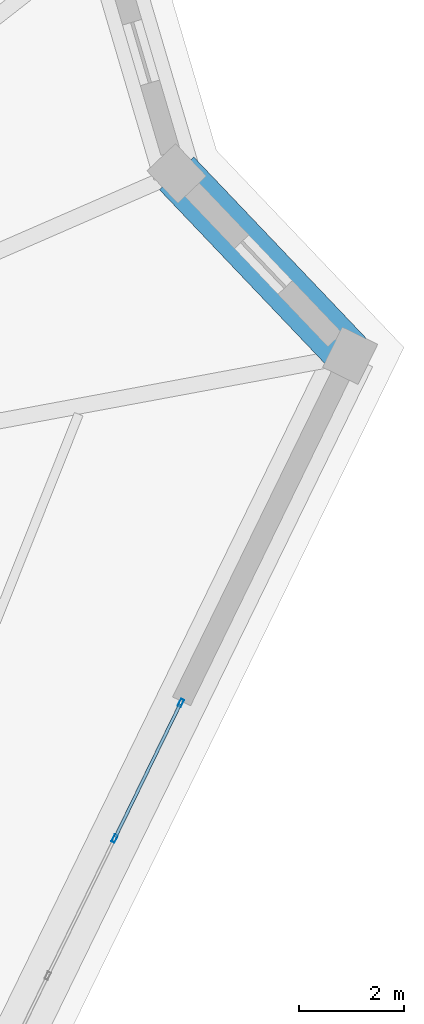
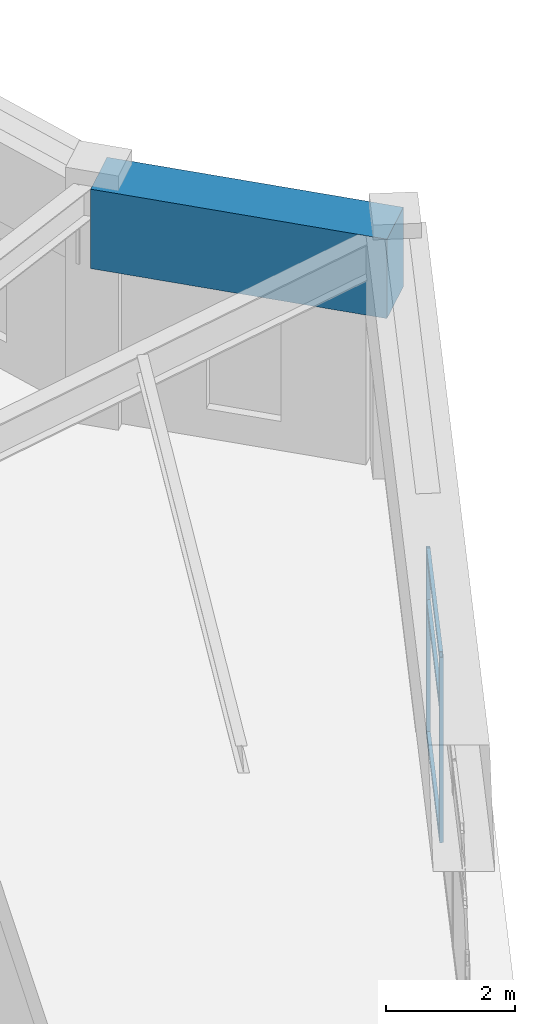
# One storey, part 27 of 40: 5 members, 1 beam, 1 element without a shape of its own.
"""IFC4 building model written with IfcOpenShell, lengths in metres."""

from ifc_helpers import new_model, si_unit, direction, frame, origin, origin_2d, place, context, subcontext, project, spatial, rectangle, hollow_rectangle, extrude, source, transform, mapped, material, layer, layer_set, material_profile, profile_set, type_object, element, aggregate, save


model = new_model("IFC4")

# Units and contexts
model_context = context("Model", 3, precision=1e-05, world=origin(), true_north=direction((0.0, 1.0)))
body_context = subcontext(model_context, "Body", "Model", "MODEL_VIEW")
ifc_project = project(units=[si_unit("LENGTHUNIT", "METRE"), si_unit("AREAUNIT", "SQUARE_METRE"), si_unit("VOLUMEUNIT", "CUBIC_METRE"), si_unit("PLANEANGLEUNIT", "RADIAN"), si_unit("MASSUNIT", "GRAM", prefix="KILO")], contexts=[model_context])

# Site, building, storey
site_placement = place(None, origin())
site = spatial("IfcSite", under=ifc_project, at=site_placement, CompositionType="ELEMENT")
building_placement = place(site_placement, origin())
building = spatial("IfcBuilding", under=site, at=building_placement, Name="Liaohun Quay Tower", CompositionType="ELEMENT")
storey_placement = place(building_placement, frame((0.0, 0.0, 351.0)))
storey = spatial("IfcBuildingStorey", under=building, at=storey_placement, Name="L91", CompositionType="ELEMENT", Elevation=351.0)

# Beam
ifc_material_1 = material(Name="Concrete C55", Category="concrete")
ifc_material_profile_1 = material_profile(ifc_material_1, rectangle(XDim=0.89990234375, YDim=1.5, at=origin_2d()), Name="RC900x1500")
ifc_profile_set_1 = profile_set([ifc_material_profile_1], Name="Concrete C55")
beam_type = type_object("IfcBeamType", Name="BM-CAN-RING", PredefinedType="BEAM", material=ifc_profile_set_1)
shared_shape_1 = source(origin(), body_context, "Body", "SweptSolid", [
    extrude(rectangle(XDim=0.89990234375, YDim=1.5, at=origin_2d()), origin(), (0.0, 0.0, 1.0), 4.780029296875),
])
beam_placement = place(storey_placement, frame((85.2880859375, 68.60009765625, 3.77001953125), z_axis=(0.689292892883, -0.724482786422, 0.0), x_axis=(0.724482786422, 0.689292892883, 0.0)))
element("IfcBeam", 1, at=beam_placement, inside=storey, type_object=beam_type, Name="L91 Precast Spandrel Beam PC08-PC09", PredefinedType="BEAM", context=body_context, shape_type="MappedRepresentation", body=[
    mapped(shared_shape_1, transform((0.0, 0.0, 0.0), x_axis=(1.0, 0.0, 0.0), y_axis=(0.0, 1.0, 0.0), z_axis=(0.0, 0.0, 1.0), scale=1.0)),
])

# Curtain wall, members
ifc_material_2 = material(Name="Observation gallery panoramic triple-glazed curtain wall")
ifc_layer = layer(ifc_material_2, 0.219970703125, Name="Observation gallery panoramic triple-glazed curtain wall")
ifc_layer_set = layer_set([ifc_layer], Name="Observation gallery panoramic triple-glazed curtain wall")
curtain_wall_type = type_object("IfcCurtainWallType", Name="CW-OBS-CRN", PredefinedType="NOTDEFINED", material=ifc_layer_set)
curtain_wall_placement = place(storey_placement, origin())
curtain_wall = element("IfcCurtainWall", 2, at=curtain_wall_placement, inside=storey, type_object=curtain_wall_type, Name="L91 Panoramic Belvedere Curtain Wall 02", PredefinedType="NOTDEFINED")
ifc_material_3 = material(Name="Anodised aluminium 6063-T6", Category="aluminium")
ifc_material_profile_2 = material_profile(ifc_material_3, hollow_rectangle(XDim=0.06494140625, YDim=0.14990234375, WallThickness=0.00390625, at=origin_2d()), Name="RHS150x65x4")
ifc_profile_set_2 = profile_set([ifc_material_profile_2], Name="Anodised aluminium 6063-T6")
member_type_1 = type_object("IfcMemberType", Name="MEM-CWM-SKY", PredefinedType="MULLION", material=ifc_profile_set_2)
shared_shape_2 = source(origin(), body_context, "Body", "SweptSolid", [
    extrude(hollow_rectangle(XDim=0.06494140625, YDim=0.14990234375, WallThickness=0.00390625, at=origin_2d()), origin(), (0.0, 0.0, 1.0), 3.5),
])
member_1_placement = place(storey_placement, frame((84.110107421875, 55.96630859375, 0.0), z_axis=(0.0, 0.0, 1.0), x_axis=(-0.89884796544, 0.438260578908, 0.0)))
member_1 = element("IfcMember", 3, at=member_1_placement, type_object=member_type_1, Name="CW6 mullion 4", PredefinedType="MULLION", context=body_context, shape_type="MappedRepresentation", body=[
    mapped(shared_shape_2, transform((0.0, 0.0, 0.0), x_axis=(1.0, 0.0, 0.0), y_axis=(0.0, 1.0, 0.0), z_axis=(0.0, 0.0, 1.0), scale=1.0)),
])
member_2_placement = place(storey_placement, frame((85.36669921875, 58.543701171875, 0.0), z_axis=(0.0, 0.0, 1.0), x_axis=(-0.89884796544, 0.438260578908, 0.0)))
member_2 = element("IfcMember", 4, at=member_2_placement, type_object=member_type_1, Name="CW6 mullion 5", PredefinedType="MULLION", context=body_context, shape_type="MappedRepresentation", body=[
    mapped(shared_shape_2, transform((0.0, 0.0, 0.0), x_axis=(1.0, 0.0, 0.0), y_axis=(0.0, 1.0, 0.0), z_axis=(0.0, 0.0, 1.0), scale=1.0)),
])
ifc_material_profile_3 = material_profile(ifc_material_3, hollow_rectangle(XDim=0.06005859375, YDim=0.135009765625, WallThickness=0.00390625, at=origin_2d()), Name="RHS135x60x4")
ifc_profile_set_3 = profile_set([ifc_material_profile_3], Name="Anodised aluminium 6063-T6")
member_type_2 = type_object("IfcMemberType", Name="MEM-CWT-SKY", PredefinedType="USERDEFINED", material=ifc_profile_set_3)
shared_shape_3 = source(origin(), body_context, "Body", "SweptSolid", [
    extrude(hollow_rectangle(XDim=0.06005859375, YDim=0.135009765625, WallThickness=0.00390625, at=origin_2d()), origin(), (0.0, 0.0, 1.0), 2.802734375),
])
member_3_placement = place(storey_placement, frame((84.124267578125, 55.995361328125, 0.030029296875), z_axis=(0.438236557516, 0.898859677401, 0.0), x_axis=(-0.898859677401, 0.438236557516, 0.0)))
member_3 = element("IfcMember", 5, at=member_3_placement, type_object=member_type_2, Name="CW6 transom 4.1", ObjectType="TRANSOM", PredefinedType="USERDEFINED", context=body_context, shape_type="MappedRepresentation", body=[
    mapped(shared_shape_3, transform((0.0, 0.0, 0.0), x_axis=(1.0, 0.0, 0.0), y_axis=(0.0, 1.0, 0.0), z_axis=(0.0, 0.0, 1.0), scale=1.0)),
])
member_4_placement = place(storey_placement, frame((84.124267578125, 55.995361328125, 2.52001953125), z_axis=(0.438236557516, 0.898859677401, 0.0), x_axis=(-0.898859677401, 0.438236557516, 0.0)))
member_4 = element("IfcMember", 6, at=member_4_placement, type_object=member_type_2, Name="CW6 transom 4.2", ObjectType="TRANSOM", PredefinedType="USERDEFINED", context=body_context, shape_type="MappedRepresentation", body=[
    mapped(shared_shape_3, transform((0.0, 0.0, 0.0), x_axis=(1.0, 0.0, 0.0), y_axis=(0.0, 1.0, 0.0), z_axis=(0.0, 0.0, 1.0), scale=1.0)),
])
member_5_placement = place(storey_placement, frame((84.124267578125, 55.995361328125, 3.469970703125), z_axis=(0.438236557516, 0.898859677401, 0.0), x_axis=(-0.898859677401, 0.438236557516, 0.0)))
member_5 = element("IfcMember", 7, at=member_5_placement, type_object=member_type_2, Name="CW6 transom 4.3", ObjectType="TRANSOM", PredefinedType="USERDEFINED", context=body_context, shape_type="MappedRepresentation", body=[
    mapped(shared_shape_3, transform((0.0, 0.0, 0.0), x_axis=(1.0, 0.0, 0.0), y_axis=(0.0, 1.0, 0.0), z_axis=(0.0, 0.0, 1.0), scale=1.0)),
])
aggregate(curtain_wall, [member_1, member_2, member_3, member_4, member_5])

save(model, "model.ifc")
